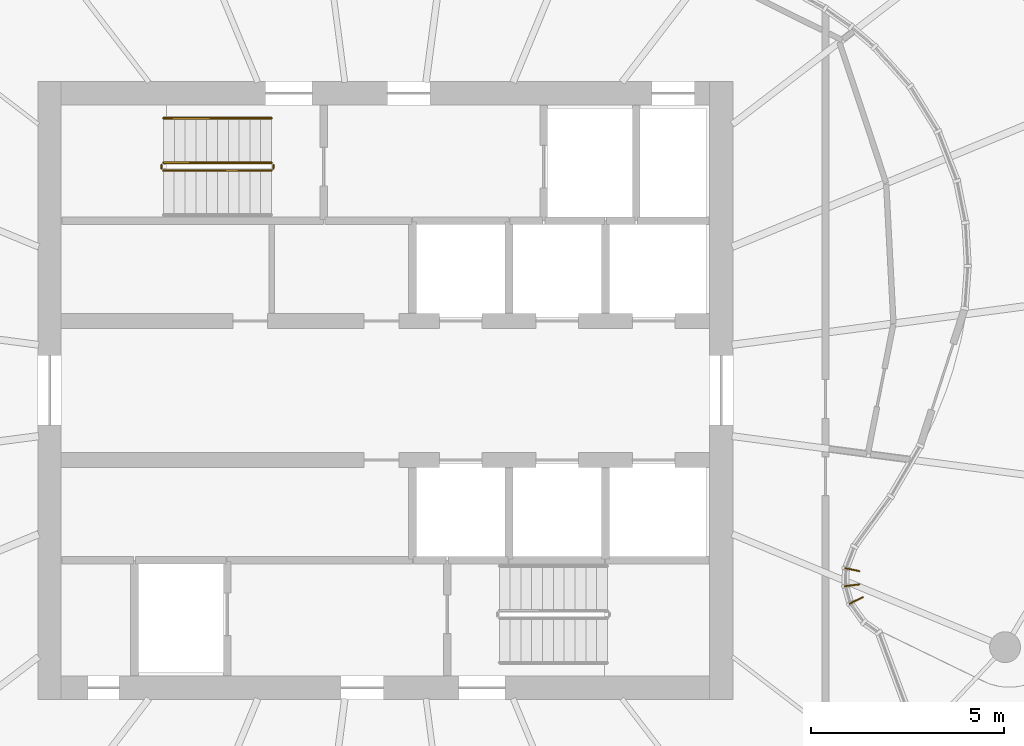
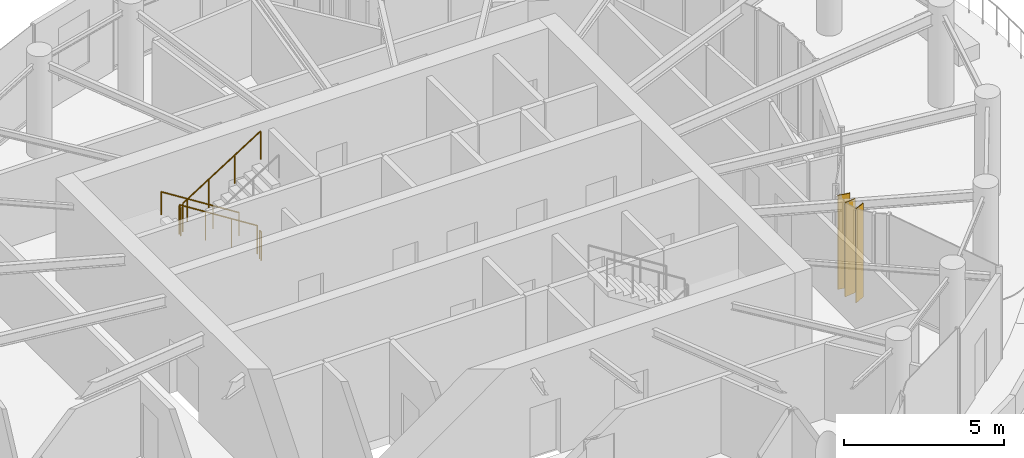
# One storey, part 17 of 19: 5 railings, 3 shading devices.
"""IFC4 building model written with IfcOpenShell, lengths in metres."""

import ifcopenshell
import ifcopenshell.guid

model = None  # the IFC model being written
_history = None  # IfcOwnerHistory: only IFC2X3 demands one
_inside = {}  # id of a spatial element -> (the spatial element, [elements in it])
_under = {}  # id of a project, library or spatial element -> (it, [spatial elements below it])
_declared = {}  # id of a project -> (the project, [libraries it declares])
_typed = {}  # id of a type object -> (the type object, [elements of that type])
_made_of = {}  # id of a material, layer set ... -> (it, [elements and type objects made of it])


def new_model(schema):
    """Start an empty IFC model of exactly this schema.

    Asked for "IFC4X3", IfcOpenShell would pick the latest addendum, in which some entities
    have other attributes; the version numbers below select the first issue.
    IFC2X3 requires an IfcOwnerHistory on every rooted entity: one is made here for all.
    """
    global model, _history
    if schema == "IFC4X3":
        model = ifcopenshell.file(schema_version=(4, 3, 0, 0))
    else:
        model = ifcopenshell.file(schema=schema)
    _inside.clear()
    _under.clear()
    _declared.clear()
    _typed.clear()
    _made_of.clear()
    _history = None
    if model.schema == "IFC2X3":
        org = make("IfcOrganization", Name="unknown")
        user = make(
            "IfcPersonAndOrganization",
            ThePerson=make("IfcPerson", FamilyName="unknown"),
            TheOrganization=org,
        )
        app = make(
            "IfcApplication",
            ApplicationDeveloper=org,
            Version="unknown",
            ApplicationFullName="unknown",
            ApplicationIdentifier="unknown",
        )
        _history = make(
            "IfcOwnerHistory",
            OwningUser=user,
            OwningApplication=app,
            ChangeAction="ADDED",
            CreationDate=0,
        )
    return model


def make(cls, **values):
    """One entity of the class cls with the attributes given. An attribute that is None is left unset."""
    return model.create_entity(
        cls, **{name: value for name, value in values.items() if value is not None}
    )


def rooted(cls, **values):
    """An entity with a GlobalId (a new one), such as an element, a storey or a relation."""
    return make(cls, GlobalId=ifcopenshell.guid.new(), OwnerHistory=_history, **values)


def si_unit(unit_type, name, prefix=None):
    """IfcSIUnit, for example si_unit("LENGTHUNIT", "METRE", prefix="MILLI")."""
    return make("IfcSIUnit", UnitType=unit_type, Prefix=prefix, Name=name)


def assignment(units):
    """IfcUnitAssignment: the units of a project."""
    return None if units is None else make("IfcUnitAssignment", Units=units)


def point(xyz):
    """IfcCartesianPoint."""
    return None if xyz is None else make("IfcCartesianPoint", Coordinates=xyz)


def direction(xyz):
    """IfcDirection."""
    return None if xyz is None else make("IfcDirection", DirectionRatios=xyz)


def frame(location, z_axis=None, x_axis=None):
    """IfcAxis2Placement3D, a coordinate frame: its origin and axes. An axis left out is left unset."""
    return make(
        "IfcAxis2Placement3D",
        Location=point(location),
        Axis=direction(z_axis),
        RefDirection=direction(x_axis),
    )


def frame_2d(location, x_axis=None):
    """IfcAxis2Placement2D, a coordinate frame in the plane: its origin and x axis."""
    return make(
        "IfcAxis2Placement2D", Location=point(location), RefDirection=direction(x_axis)
    )


def origin():
    """The frame at (0, 0, 0) with its axes left unset."""
    return frame((0.0, 0.0, 0.0))


def origin_2d():
    """The frame at (0, 0) in the plane with its x axis left unset."""
    return frame_2d((0.0, 0.0))


def place(relative_to, where):
    """IfcLocalPlacement: puts the frame where relative to a parent placement (None: the world)."""
    return make(
        "IfcLocalPlacement", PlacementRelTo=relative_to, RelativePlacement=where
    )


def context(
    kind, dimensions, precision=None, world=None, true_north=None, identifier=None
):
    """IfcGeometricRepresentationContext, for example the 3D "Model" context."""
    return make(
        "IfcGeometricRepresentationContext",
        ContextIdentifier=identifier,
        ContextType=kind,
        CoordinateSpaceDimension=dimensions,
        Precision=precision,
        WorldCoordinateSystem=world,
        TrueNorth=true_north,
    )


def subcontext(parent, identifier, kind, view, scale=None):
    """IfcGeometricRepresentationSubContext, for example "Body" below "Model"."""
    return make(
        "IfcGeometricRepresentationSubContext",
        ContextIdentifier=identifier,
        ContextType=kind,
        ParentContext=parent,
        TargetScale=scale,
        TargetView=view,
    )


def project(units=None, contexts=None):
    """IfcProject with its units and contexts."""
    return rooted(
        "IfcProject",
        Name="project",
        RepresentationContexts=contexts,
        UnitsInContext=assignment(units),
    )


def spatial(cls, under=None, at=None, **own):
    """A site, building, storey or space (cls), placed at a placement, below another one or the project."""
    s = rooted(cls, ObjectPlacement=at, **own)
    if under is not None:
        _under.setdefault(under.id(), (under, []))[1].append(s)
    return s


def profile(cls, at=None, kind="AREA", **sizes):
    """A parametric profile (cls). Its sizes go by their IFC names, for example OverallWidth=200.0."""
    return make(cls, ProfileType=kind, Position=at, **sizes)


def rectangle(**sizes):
    """IfcRectangleProfileDef."""
    return profile("IfcRectangleProfileDef", **sizes)


def circle(**sizes):
    """IfcCircleProfileDef."""
    return profile("IfcCircleProfileDef", **sizes)


def extrude(swept, where, along, depth):
    """IfcExtrudedAreaSolid: the profile swept, set in the frame where, extruded along a direction by depth."""
    return make(
        "IfcExtrudedAreaSolid",
        SweptArea=swept,
        Position=where,
        ExtrudedDirection=direction(along),
        Depth=depth,
    )


def shape(context_of_items, identifier, shape_type, items):
    """IfcShapeRepresentation: the items that make up one representation, for example the "Body"."""
    return make(
        "IfcShapeRepresentation",
        ContextOfItems=context_of_items,
        RepresentationIdentifier=identifier,
        RepresentationType=shape_type,
        Items=items,
    )


def source(mapping_origin, context_of_items, identifier, shape_type, items):
    """IfcRepresentationMap: a shape defined once, which mapped items show again and again."""
    return make(
        "IfcRepresentationMap",
        MappingOrigin=mapping_origin,
        MappedRepresentation=shape(context_of_items, identifier, shape_type, items),
    )


def transform(
    local_origin,
    x_axis=None,
    y_axis=None,
    z_axis=None,
    scale=None,
    scale2=None,
    scale3=None,
    uniform=True,
):
    """IfcCartesianTransformationOperator3D, or its non-uniform kind. x_axis, y_axis, z_axis: its Axis1, 2, 3."""
    if uniform:
        return make(
            "IfcCartesianTransformationOperator3D",
            Axis1=direction(x_axis),
            Axis2=direction(y_axis),
            LocalOrigin=point(local_origin),
            Scale=scale,
            Axis3=direction(z_axis),
        )
    return make(
        "IfcCartesianTransformationOperator3DnonUniform",
        Axis1=direction(x_axis),
        Axis2=direction(y_axis),
        LocalOrigin=point(local_origin),
        Scale=scale,
        Axis3=direction(z_axis),
        Scale2=scale2,
        Scale3=scale3,
    )


def mapped(mapping_source, mapping_target):
    """IfcMappedItem: shows the shape of a source again, moved by a transform."""
    return make(
        "IfcMappedItem", MappingSource=mapping_source, MappingTarget=mapping_target
    )


def material(Name=None, Category=None):
    """IfcMaterial."""
    return make("IfcMaterial", Name=Name, Category=Category)


def material_profile(
    of_material, cross_section, Name=None, Category=None, Priority=None
):
    """IfcMaterialProfile: a cross section and its material."""
    return make(
        "IfcMaterialProfile",
        Name=Name,
        Material=of_material,
        Profile=cross_section,
        Priority=Priority,
        Category=Category,
    )


def profile_set(profiles, Name=None, composite=None):
    """IfcMaterialProfileSet."""
    return make(
        "IfcMaterialProfileSet",
        Name=Name,
        MaterialProfiles=profiles,
        CompositeProfile=composite,
    )


def made_of(thing, what):
    """Note that an element or type object is made of a material, layer set ...; save() writes the relation."""
    if what is not None:
        _made_of.setdefault(what.id(), (what, []))[1].append(thing)
    return thing


def type_object(cls, material=None, **own):
    """A type object (cls), such as IfcWallType, which elements share."""
    return made_of(rooted(cls, **own), material)


def element(
    cls,
    number,
    at=None,
    inside=None,
    cuts=None,
    type_object=None,
    material=None,
    context=None,
    identifier="Body",
    shape_type=None,
    held_by="IfcProductDefinitionShape",
    body=None,
    shapes=None,
    **own,
):
    """One element of the class cls, such as IfcWall. Its Tag is "e" and its number.

    at: its placement. inside: the storey or other place that contains it. cuts: it is an
    opening in that element (IfcRelVoidsElement). A single representation is given by context,
    identifier, shape_type and body (its items); several are given by shapes. held_by: the class
    of the entity that holds the representations. save() writes the other relations.
    """
    e = rooted(cls, Tag="e%d" % number, ObjectPlacement=at, **own)
    if body is not None:
        shapes = [shape(context, identifier, shape_type, body)]
    if shapes is not None:
        e.Representation = make(held_by, Representations=shapes)
    if inside is not None:
        _inside.setdefault(inside.id(), (inside, []))[1].append(e)
    if cuts is not None:
        rooted(
            "IfcRelVoidsElement", RelatingBuildingElement=cuts, RelatedOpeningElement=e
        )
    if type_object is not None:
        _typed.setdefault(type_object.id(), (type_object, []))[1].append(e)
    return made_of(e, material)


def aggregate(whole, parts):
    """IfcRelAggregates: a whole, such as a stair, and the parts it consists of."""
    return rooted("IfcRelAggregates", RelatingObject=whole, RelatedObjects=parts)


def save(model, path):
    """Write the relations noted so far, then the file.

    IfcRelAggregates (storeys below a building ...), IfcRelContainedInSpatialStructure (elements
    in a storey), IfcRelDefinesByType, IfcRelAssociatesMaterial and IfcRelDeclares: one each for
    every whole, place, type object, material and project.
    """
    for whole, parts in _under.values():
        aggregate(whole, parts)
    for where, things in _inside.values():
        rooted(
            "IfcRelContainedInSpatialStructure",
            RelatedElements=things,
            RelatingStructure=where,
        )
    for kind, things in _typed.values():
        rooted("IfcRelDefinesByType", RelatedObjects=things, RelatingType=kind)
    for what, things in _made_of.values():
        rooted("IfcRelAssociatesMaterial", RelatedObjects=things, RelatingMaterial=what)
    for by, libraries in _declared.values():
        rooted("IfcRelDeclares", RelatingContext=by, RelatedDefinitions=libraries)
    model.write(path)


model = new_model("IFC4")

# Units and contexts
model_context = context("Model", 3, precision=1e-05, world=origin(), true_north=direction((0.0, 1.0)))
body_context = subcontext(model_context, "Body", "Model", "MODEL_VIEW")
ifc_project = project(units=[si_unit("LENGTHUNIT", "METRE"), si_unit("AREAUNIT", "SQUARE_METRE"), si_unit("VOLUMEUNIT", "CUBIC_METRE"), si_unit("PLANEANGLEUNIT", "RADIAN"), si_unit("MASSUNIT", "GRAM", prefix="KILO")], contexts=[model_context])

# Site, building, storey
site_placement = place(None, origin())
site = spatial("IfcSite", under=ifc_project, at=site_placement, CompositionType="ELEMENT")
building_placement = place(site_placement, origin())
building = spatial("IfcBuilding", under=site, at=building_placement, Name="Spindrift Exchange Tower", CompositionType="ELEMENT")
storey_placement = place(building_placement, frame((0.0, 0.0, 234.5)))
storey = spatial("IfcBuildingStorey", under=building, at=storey_placement, Name="L57", CompositionType="ELEMENT", Elevation=234.5)

# Railings
ifc_material_1 = material(Name="Steel balustrade", Category="steel")
railing_type_1 = type_object("IfcRailingType", Name="RL-STAIR-GUARD", PredefinedType="GUARDRAIL", material=ifc_material_1)
railing_1_placement = place(storey_placement, frame((49.050048828125, 53.89990234375, 0.17724609375)))
element("IfcRailing", 1, at=railing_1_placement, inside=storey, type_object=railing_type_1, Name="L57 ST1 stair guard 1", PredefinedType="GUARDRAIL", context=body_context, shape_type="SweptSolid", body=[
    extrude(circle(Radius=0.02392578125, at=origin_2d()), frame((0.0, 0.0, 1.076171875), z_axis=(-0.844908973607, 0.0, 0.534910110503), x_axis=(0.0, -1.0, 0.0)), (0.0, 0.0, 1.0), 3.31396484375),
    extrude(circle(Radius=0.02099609375, at=origin_2d()), origin(), (0.0, 0.0, 1.0), 1.052001953125),
    extrude(circle(Radius=0.02099609375, at=origin_2d()), frame((-0.933349609375, 0.0, 0.5908203125)), (0.0, 0.0, 1.0), 1.052001953125),
    extrude(circle(Radius=0.02099609375, at=origin_2d()), frame((-1.86669921875, 0.0, 1.181884765625)), (0.0, 0.0, 1.0), 1.052001953125),
    extrude(circle(Radius=0.02099609375, at=origin_2d()), frame((-2.800048828125, 0.0, 1.772705078125)), (0.0, 0.0, 1.0), 1.052001953125),
])
railing_2_placement = place(storey_placement, frame((46.199951171875, 53.85009765625, 1.949951171875)))
element("IfcRailing", 2, at=railing_2_placement, inside=storey, type_object=railing_type_1, Name="L57 ST1 stair guard 2", PredefinedType="GUARDRAIL", context=body_context, shape_type="SweptSolid", body=[
    extrude(circle(Radius=0.02392578125, at=origin_2d()), frame((0.0, 0.0, 1.076171875), z_axis=(0.0, -1.0, 0.0), x_axis=(1.0, 0.0, 0.0)), (0.0, 0.0, 1.0), 0.10009765625),
    extrude(circle(Radius=0.02099609375, at=origin_2d()), origin(), (0.0, 0.0, 1.0), 1.052001953125),
    extrude(circle(Radius=0.02099609375, at=origin_2d()), frame((0.0, -0.10009765625, 0.0)), (0.0, 0.0, 1.0), 1.052001953125),
])
railing_3_placement = place(storey_placement, frame((46.25, 53.699951171875, 2.127197265625)))
element("IfcRailing", 3, at=railing_3_placement, inside=storey, type_object=railing_type_1, Name="L57 ST1 stair guard 3", PredefinedType="GUARDRAIL", context=body_context, shape_type="SweptSolid", body=[
    extrude(circle(Radius=0.02392578125, at=origin_2d()), frame((0.0, 0.0, 1.076171875), z_axis=(0.844908973607, 0.0, 0.534910110503), x_axis=(0.0, 1.0, 0.0)), (0.0, 0.0, 1.0), 3.31396484375),
    extrude(circle(Radius=0.02099609375, at=origin_2d()), origin(), (0.0, 0.0, 1.0), 1.052001953125),
    extrude(circle(Radius=0.02099609375, at=origin_2d()), frame((0.933349609375, 0.0, 0.5908203125)), (0.0, 0.0, 1.0), 1.052001953125),
    extrude(circle(Radius=0.02099609375, at=origin_2d()), frame((1.86669921875, 0.0, 1.181884765625)), (0.0, 0.0, 1.0), 1.052001953125),
    extrude(circle(Radius=0.02099609375, at=origin_2d()), frame((2.800048828125, 0.0, 1.772705078125)), (0.0, 0.0, 1.0), 1.052001953125),
])
railing_4_placement = place(storey_placement, frame((49.10009765625, 53.85009765625, 0.0)))
element("IfcRailing", 4, at=railing_4_placement, inside=storey, type_object=railing_type_1, Name="L57 ST1 stair guard 4", PredefinedType="GUARDRAIL", context=body_context, shape_type="SweptSolid", body=[
    extrude(circle(Radius=0.02392578125, at=origin_2d()), frame((0.0, 0.0, 1.076171875), z_axis=(0.0, -1.0, 0.0), x_axis=(1.0, 0.0, 0.0)), (0.0, 0.0, 1.0), 0.10009765625),
    extrude(circle(Radius=0.02099609375, at=origin_2d()), origin(), (0.0, 0.0, 1.0), 1.052001953125),
    extrude(circle(Radius=0.02099609375, at=origin_2d()), frame((0.0, -0.10009765625, 0.0)), (0.0, 0.0, 1.0), 1.052001953125),
])
ifc_material_2 = material(Name="Steel tubular handrail", Category="steel")
railing_type_2 = type_object("IfcRailingType", Name="RL-STAIR-HAND", PredefinedType="HANDRAIL", material=ifc_material_2)
railing_5_placement = place(storey_placement, frame((49.050048828125, 55.050048828125, 0.17724609375)))
element("IfcRailing", 5, at=railing_5_placement, inside=storey, type_object=railing_type_2, Name="L57 ST1 stair handrail 1", PredefinedType="HANDRAIL", context=body_context, shape_type="SweptSolid", body=[
    extrude(circle(Radius=0.02392578125, at=origin_2d()), frame((0.0, 0.0, 0.8759765625), z_axis=(-0.844908973607, 0.0, 0.534910110503), x_axis=(0.0, -1.0, 0.0)), (0.0, 0.0, 1.0), 3.31396484375),
    extrude(circle(Radius=0.02099609375, at=origin_2d()), origin(), (0.0, 0.0, 1.0), 0.851806640625),
    extrude(circle(Radius=0.02099609375, at=origin_2d()), frame((-0.933349609375, 0.0, 0.5908203125)), (0.0, 0.0, 1.0), 0.851806640625),
    extrude(circle(Radius=0.02099609375, at=origin_2d()), frame((-1.86669921875, 0.0, 1.181884765625)), (0.0, 0.0, 1.0), 0.851806640625),
    extrude(circle(Radius=0.02099609375, at=origin_2d()), frame((-2.800048828125, 0.0, 1.772705078125)), (0.0, 0.0, 1.0), 0.851806640625),
])

# Shading devices
ifc_material_3 = material(Name="Bronze anodised aluminium", Category="aluminium")
ifc_material_profile = material_profile(ifc_material_3, rectangle(XDim=0.030029296875, YDim=0.39990234375, at=origin_2d()), Name="WIND FIN 30X400")
ifc_profile_set = profile_set([ifc_material_profile], Name="Bronze anodised aluminium")
shading_device_type = type_object("IfcShadingDeviceType", Name="WIND FIN 30X400", PredefinedType="USERDEFINED", material=ifc_profile_set)
shared_shape = source(origin(), body_context, "Body", "SweptSolid", [
    extrude(rectangle(XDim=0.030029296875, YDim=0.39990234375, at=origin_2d()), origin(), (0.0, 0.0, 1.0), 3.580078125),
])
for number, where, z_axis, x_axis, name in (
    (6, (64.1953125, 42.56005859375, 0.0), (0.0, 0.0, 1.0), (-0.433954724341, 0.900934679775, 0.0), "L57 wind fin 1"),
    (7, (64.084716796875, 42.954345703125, 0.0), (0.0, 0.0, 1.0), (-0.125444053058, 0.992100695269, 0.0), "L57 wind fin 2"),
    (8, (64.093505859375, 43.359130859375, 0.0), (0.0, 0.0, 1.0), (0.195234110551, 0.980756668128, 0.0), "L57 wind fin 3"),
):
    element("IfcShadingDevice", number, at=place(storey_placement, frame(where, z_axis=z_axis, x_axis=x_axis)), inside=storey, type_object=shading_device_type, Name=name, ObjectType="FIN", PredefinedType="USERDEFINED", context=body_context, shape_type="MappedRepresentation", body=[
        mapped(shared_shape, transform((0.0, 0.0, 0.0), scale=1.0)),
    ])

save(model, "model.ifc")
